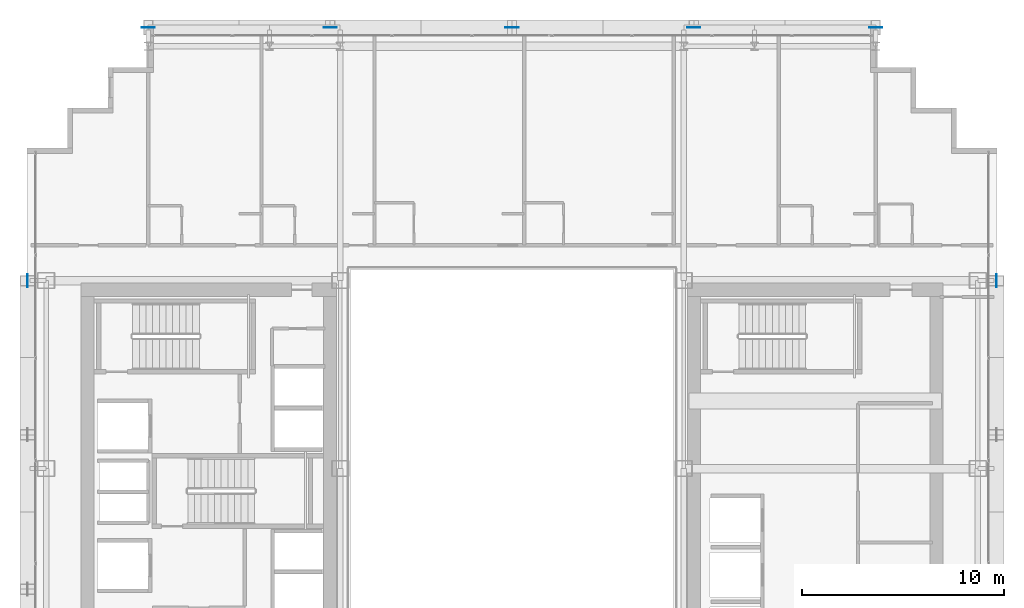
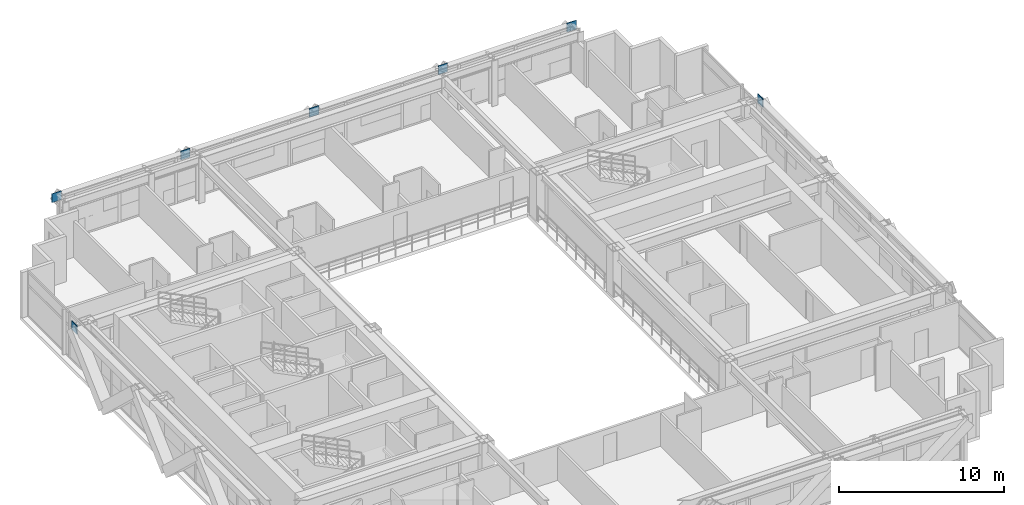
# One storey, part 26 of 35: 7 plates.
"""IFC4 building model written with IfcOpenShell, lengths in metres."""

from ifc_helpers import new_model, si_unit, direction, frame, origin, origin_2d, place, context, subcontext, project, spatial, rectangle, extrude, source, transform, mapped, material, layer, layer_set, type_object, element, save


model = new_model("IFC4")

# Units and contexts
model_context = context("Model", 3, precision=1e-05, world=origin(), true_north=direction((0.0, 1.0)))
body_context = subcontext(model_context, "Body", "Model", "MODEL_VIEW")
ifc_project = project(units=[si_unit("LENGTHUNIT", "METRE"), si_unit("AREAUNIT", "SQUARE_METRE"), si_unit("VOLUMEUNIT", "CUBIC_METRE"), si_unit("PLANEANGLEUNIT", "RADIAN"), si_unit("MASSUNIT", "GRAM", prefix="KILO")], contexts=[model_context])

# Site, building, storey
site_placement = place(None, origin())
site = spatial("IfcSite", under=ifc_project, at=site_placement, CompositionType="ELEMENT")
building_placement = place(site_placement, origin())
building = spatial("IfcBuilding", under=site, at=building_placement, Name="Ocotamira Hotel", CompositionType="ELEMENT")
storey_placement = place(building_placement, frame((0.0, 0.0, 144.0)))
storey = spatial("IfcBuildingStorey", under=building, at=storey_placement, Name="L36", CompositionType="ELEMENT", Elevation=144.0)

# Plates
ifc_material = material(Name="Pale-metal coated steel ASTM A572 Grade 50", Category="steel")
ifc_layer = layer(ifc_material, 0.0400390625)
ifc_layer_set = layer_set([ifc_layer], Name="Pale-metal coated steel ASTM A572 Grade 50")
plate_type = type_object("IfcPlateType", Name="PLT-GUSSET-40", PredefinedType="SHEET", material=ifc_layer_set)
shared_shape_1 = source(origin(), body_context, "Body", "SweptSolid", [
    extrude(rectangle(XDim=0.64990234375, YDim=0.0400390625, at=origin_2d()), origin(), (0.0, 0.0, 1.0), 0.64990234375),
])
for number, where, z_axis, x_axis, name in (
    (1, (14.0, 49.969970703125, 2.78515625), (0.0, 0.0, 1.0), (-1.0, 0.0, 0.0), "L36 Exoskeleton Diagrid N0.1 End Gusset B"),
    (2, (23.0, 49.969970703125, 2.78515625), (0.0, 0.0, 1.0), (1.0, 0.0, 0.0), "L36 Exoskeleton Diagrid N0.2 End Gusset B"),
    (3, (32.0, 49.969970703125, 2.78515625), (0.0, 0.0, 1.0), (1.0, 0.0, 0.0), "L36 Exoskeleton Diagrid N1.2 End Gusset B"),
    (4, (41.0, 49.969970703125, 2.78515625), (0.0, 0.0, 1.0), (1.0, 0.0, 0.0), "L36 Exoskeleton Diagrid N2.2 End Gusset B"),
    (5, (50.0, 49.969970703125, 2.78515625), (0.0, 0.0, 1.0), (1.0, 0.0, 0.0), "L36 Exoskeleton Diagrid N3.2 End Gusset B"),
):
    element("IfcPlate", number, at=place(storey_placement, frame(where, z_axis=z_axis, x_axis=x_axis)), inside=storey, type_object=plate_type, Name=name, PredefinedType="SHEET", context=body_context, shape_type="MappedRepresentation", body=[
        mapped(shared_shape_1, transform((0.0, 0.0, 0.0), scale=1.0)),
    ])
shared_shape_2 = source(origin(), body_context, "Body", "SweptSolid", [
    extrude(rectangle(XDim=0.0400390625, YDim=0.64990234375, at=origin_2d()), origin(), (0.0, 0.0, 1.0), 0.64990234375),
])
for number, where, z_axis, x_axis, name in (
    (6, (8.030029296875, 37.449951171875, 2.78515625), (0.0, 0.0, 1.0), (1.0, 0.0, 0.0), "L36 Exoskeleton Diagrid W2.2 End Gusset B"),
    (7, (55.969970703125, 37.449951171875, 2.78515625), (0.0, 0.0, 1.0), (1.0, 0.0, 0.0), "L36 Exoskeleton Diagrid E2.2 End Gusset B"),
):
    element("IfcPlate", number, at=place(storey_placement, frame(where, z_axis=z_axis, x_axis=x_axis)), inside=storey, type_object=plate_type, Name=name, PredefinedType="SHEET", context=body_context, shape_type="MappedRepresentation", body=[
        mapped(shared_shape_2, transform((0.0, 0.0, 0.0), scale=1.0)),
    ])

save(model, "model.ifc")
